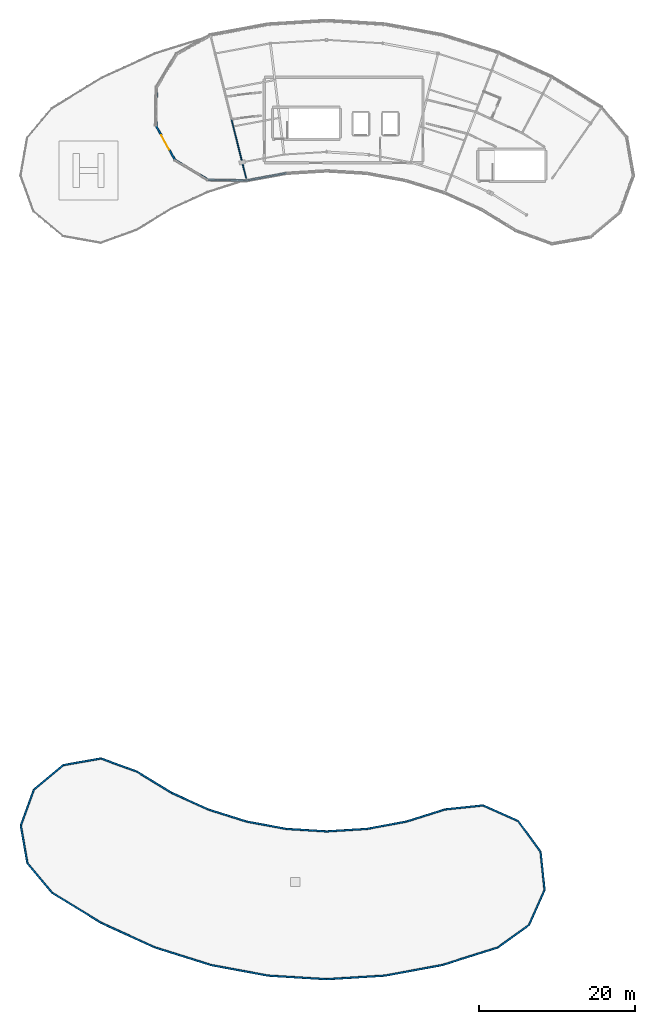
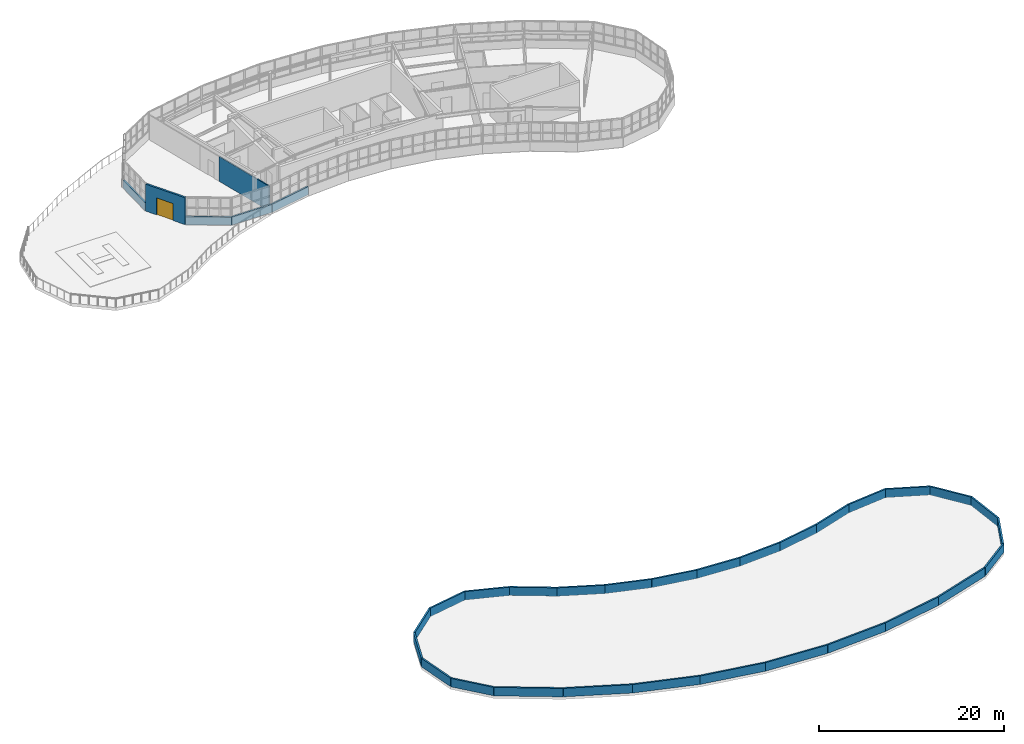
# One storey, part 23 of 26: 34 walls, 1 door, 1 opening.
"""IFC4 building model written with IfcOpenShell, lengths in metres."""

from ifc_helpers import new_model, si_unit, direction, frame, frame_2d, origin, place, context, subcontext, project, spatial, rectangle, extrude, material, layer, layer_set, type_object, element, fill, save


model = new_model("IFC4")

# Units and contexts
model_context = context("Model", 3, precision=1e-05, world=origin(), true_north=direction((0.0, 1.0)))
body_context = subcontext(model_context, "Body", "Model", "MODEL_VIEW")
ifc_project = project(units=[si_unit("LENGTHUNIT", "METRE"), si_unit("AREAUNIT", "SQUARE_METRE"), si_unit("VOLUMEUNIT", "CUBIC_METRE"), si_unit("PLANEANGLEUNIT", "RADIAN"), si_unit("MASSUNIT", "GRAM", prefix="KILO")], contexts=[model_context])

# Site, building, storey
site_placement = place(None, origin())
site = spatial("IfcSite", under=ifc_project, at=site_placement, CompositionType="ELEMENT")
building_placement = place(site_placement, origin())
building = spatial("IfcBuilding", under=site, at=building_placement, Name="Tarnwether General Hospital", CompositionType="ELEMENT")
storey_placement = place(building_placement, frame((0.0, 0.0, 30.0)))
storey = spatial("IfcBuildingStorey", under=building, at=storey_placement, Name="L07", CompositionType="ELEMENT", Elevation=30.0)

# Wall
ifc_material_1 = material(Name="Streamlined white enamelled aluminium", Category="aluminium")
ifc_layer_1 = layer(ifc_material_1, 0.219970703125)
ifc_layer_set_1 = layer_set([ifc_layer_1], Name="Streamlined white enamelled aluminium")
wall_type_1 = type_object("IfcWallType", Name="WL-EX220", PredefinedType="STANDARD", material=ifc_layer_set_1)
wall_1_placement = place(storey_placement, frame((70.10498046875, 111.133056640625, 0.0), z_axis=(0.0, 0.0, 1.0), x_axis=(0.017492040538, 0.999847002555, 0.0)))
element("IfcWall", 1, at=wall_1_placement, inside=storey, type_object=wall_type_1, Name="Ward NW Streamlined White Spandrel EW-L07-0130", PredefinedType="STANDARD", context=body_context, shape_type="SweptSolid", body=[
    extrude(rectangle(XDim=4.96875, YDim=0.219970703125, at=frame_2d((2.484375, 0.0))), origin(), (0.0, 0.0, 1.0), 1.050048828125),
])

# Wall, opening, door
wall_2_placement = place(storey_placement, frame((72.513916015625, 106.787109375, 0.0), z_axis=(0.0, 0.0, 1.0), x_axis=(-0.48480002004, 0.874625028552, 0.0)))
wall_2 = element("IfcWall", 2, at=wall_2_placement, inside=storey, type_object=wall_type_1, Name="Ward NW Terrace Access Wall EW-L07-0131", PredefinedType="STANDARD", context=body_context, shape_type="SweptSolid", body=[
    extrude(rectangle(XDim=4.968994140625, YDim=0.219970703125, at=frame_2d((2.484375, 0.0))), origin(), (0.0, 0.0, 1.0), 3.570068359375),
])
opening_placement = place(wall_2_placement, frame((1.5, 0.0, 0.0)))
opening = element("IfcOpeningElement", 3, at=opening_placement, cuts=wall_2, Name="Opening ED-09", PredefinedType="OPENING", context=body_context, shape_type="SweptSolid", body=[
    extrude(rectangle(XDim=2.10009765625, YDim=2.25, at=frame_2d((1.050048828125, 1.125))), frame((0.0, 0.1201171875, 0.0), z_axis=(0.0, -1.0, 0.0), x_axis=(1.0, 0.0, 0.0)), (0.0, 0.0, 1.0), 0.239990234375),
])
ifc_material_2 = material(Name="Anodised aluminium", Category="aluminium")
door_type = type_object("IfcDoorType", Name="DR-HP01", OperationType="NOTDEFINED", PredefinedType="DOOR", material=ifc_material_2)
door_placement = place(opening_placement, origin())
door = element("IfcDoor", 4, at=door_placement, inside=storey, type_object=door_type, Name="Rooftop Helipad Trauma Access Door ED-L07-0001", OperationType="DOUBLE_DOOR_SINGLE_SWING", OverallHeight=2.25, OverallWidth=2.10009765625, PredefinedType="DOOR", context=body_context, shape_type="SweptSolid", body=[
    extrude(rectangle(XDim=2.10009765625, YDim=2.25, at=frame_2d((1.050048828125, 1.125))), frame((0.0, 0.02490234375, 0.0), z_axis=(0.0, -1.0, 0.0), x_axis=(1.0, 0.0, 0.0)), (0.0, 0.0, 1.0), 0.050048828125),
])
fill(opening, door)

# Walls
wall_3_placement = place(storey_placement, frame((76.77392578125, 104.22705078125, 0.0), z_axis=(0.0, 0.0, 1.0), x_axis=(-0.857132968342, 0.51509520924, 0.0)))
element("IfcWall", 5, at=wall_3_placement, inside=storey, type_object=wall_type_1, Name="Ward NW Streamlined White Spandrel EW-L07-0132", PredefinedType="STANDARD", context=body_context, shape_type="SweptSolid", body=[
    extrude(rectangle(XDim=4.969970703125, YDim=0.219970703125, at=frame_2d((2.48486328125, 0.0))), origin(), (0.0, 0.0, 1.0), 1.050048828125),
])
wall_4_placement = place(storey_placement, frame((81.742919921875, 104.14111328125, 0.0), z_axis=(0.0, 0.0, 1.0), x_axis=(-0.999850479392, 0.017292161782, 0.0)))
element("IfcWall", 6, at=wall_4_placement, inside=storey, type_object=wall_type_1, Name="Ward NW Streamlined White Spandrel EW-L07-0133", PredefinedType="STANDARD", context=body_context, shape_type="SweptSolid", body=[
    extrude(rectangle(XDim=4.9697265625, YDim=0.219970703125, at=frame_2d((2.48486328125, 0.0))), origin(), (0.0, 0.0, 1.0), 1.050048828125),
])
wall_5_placement = place(storey_placement, frame((86.8330078125, 105.083984375, 0.0), z_axis=(0.0, 0.0, 1.0), x_axis=(-0.98327293422, -0.182138235501, 0.0)))
element("IfcWall", 7, at=wall_5_placement, inside=storey, type_object=wall_type_1, Name="Ward NW Streamlined White Spandrel EW-L07-0134", PredefinedType="STANDARD", context=body_context, shape_type="SweptSolid", body=[
    extrude(rectangle(XDim=5.1767578125, YDim=0.219970703125, at=frame_2d((2.58837890625, 0.0))), origin(), (0.0, 0.0, 1.0), 1.050048828125),
])
ifc_material_3 = material(Name="Precast concrete 40 MPa", Category="concrete")
ifc_layer_2 = layer(ifc_material_3, 0.199951171875)
ifc_layer_set_2 = layer_set([ifc_layer_2], Name="Precast concrete 40 MPa")
wall_type_2 = type_object("IfcWallType", Name="WL-PR200", PredefinedType="PARAPET", material=ifc_layer_set_2)
wall_6_placement = place(storey_placement, frame((56.73388671875, 12.616943359375, 0.330078125), z_axis=(0.0, 0.0, 1.0), x_axis=(-0.642798043125, 0.766035688303, 0.0)))
element("IfcWall", 8, at=wall_6_placement, inside=storey, type_object=wall_type_2, Name="Flat Roof Parapet EW-L07-0381", PredefinedType="PARAPET", context=body_context, shape_type="SweptSolid", body=[
    extrude(rectangle(XDim=4.927001953125, YDim=0.199951171875, at=frame_2d((2.46337890625, 0.0))), origin(), (0.0, 0.0, 1.0), 1.119873046875),
])
wall_7_placement = place(storey_placement, frame((53.56689453125, 16.39111328125, 0.330078125), z_axis=(0.0, 0.0, 1.0), x_axis=(-0.173493479801, 0.984835017892, 0.0)))
element("IfcWall", 9, at=wall_7_placement, inside=storey, type_object=wall_type_2, Name="Flat Roof Parapet EW-L07-0382", PredefinedType="PARAPET", context=body_context, shape_type="SweptSolid", body=[
    extrude(rectangle(XDim=4.915283203125, YDim=0.199951171875, at=frame_2d((2.45751953125, 0.0))), origin(), (0.0, 0.0, 1.0), 1.119873046875),
])
wall_8_placement = place(storey_placement, frame((52.714111328125, 21.23193359375, 0.330078125), z_axis=(0.0, 0.0, 1.0), x_axis=(0.341962389419, 0.939713639479, 0.0)))
element("IfcWall", 10, at=wall_8_placement, inside=storey, type_object=wall_type_2, Name="Flat Roof Parapet EW-L07-0383", PredefinedType="PARAPET", context=body_context, shape_type="SweptSolid", body=[
    extrude(rectangle(XDim=4.91552734375, YDim=0.199951171875, at=frame_2d((2.457763671875, 0.0))), origin(), (0.0, 0.0, 1.0), 1.119873046875),
])
wall_9_placement = place(storey_placement, frame((54.39501953125, 25.85107421875, 0.330078125), z_axis=(0.0, 0.0, 1.0), x_axis=(0.766047177348, 0.642784351145, 0.0)))
element("IfcWall", 11, at=wall_9_placement, inside=storey, type_object=wall_type_2, Name="Flat Roof Parapet EW-L07-0384", PredefinedType="PARAPET", context=body_context, shape_type="SweptSolid", body=[
    extrude(rectangle(XDim=4.916015625, YDim=0.199951171875, at=frame_2d((2.4580078125, 0.0))), origin(), (0.0, 0.0, 1.0), 1.119873046875),
])
wall_10_placement = place(storey_placement, frame((58.160888671875, 29.010986328125, 0.330078125), z_axis=(0.0, 0.0, 1.0), x_axis=(0.984794056527, 0.173725836388, 0.0)))
element("IfcWall", 12, at=wall_10_placement, inside=storey, type_object=wall_type_2, Name="Flat Roof Parapet EW-L07-0385", PredefinedType="PARAPET", context=body_context, shape_type="SweptSolid", body=[
    extrude(rectangle(XDim=4.915771484375, YDim=0.199951171875, at=frame_2d((2.4580078125, 0.0))), origin(), (0.0, 0.0, 1.0), 1.119873046875),
])
wall_11_placement = place(storey_placement, frame((63.001953125, 29.864990234375, 0.330078125), z_axis=(0.0, 0.0, 1.0), x_axis=(0.939605389057, -0.342259715502, 0.0)))
element("IfcWall", 13, at=wall_11_placement, inside=storey, type_object=wall_type_2, Name="Flat Roof Parapet EW-L07-0386", PredefinedType="PARAPET", context=body_context, shape_type="SweptSolid", body=[
    extrude(rectangle(XDim=4.931884765625, YDim=0.199951171875, at=frame_2d((2.4658203125, 0.0))), origin(), (0.0, 0.0, 1.0), 1.119873046875),
])
wall_12_placement = place(storey_placement, frame((67.635986328125, 28.177001953125, 0.330078125), z_axis=(0.0, 0.0, 1.0), x_axis=(0.852728896112, -0.522353740041, 0.0)))
element("IfcWall", 14, at=wall_12_placement, inside=storey, type_object=wall_type_2, Name="Flat Roof Parapet EW-L07-0387", PredefinedType="PARAPET", context=body_context, shape_type="SweptSolid", body=[
    extrude(rectangle(XDim=5.1669921875, YDim=0.199951171875, at=frame_2d((2.58349609375, 0.0))), origin(), (0.0, 0.0, 1.0), 1.119873046875),
])
wall_13_placement = place(storey_placement, frame((72.052978515625, 25.471923828125, 0.330078125), z_axis=(0.0, 0.0, 1.0), x_axis=(0.909955822384, -0.414705198074, 0.0)))
element("IfcWall", 15, at=wall_13_placement, inside=storey, type_object=wall_type_2, Name="Flat Roof Parapet EW-L07-0388", PredefinedType="PARAPET", context=body_context, shape_type="SweptSolid", body=[
    extrude(rectangle(XDim=5.177001953125, YDim=0.199951171875, at=frame_2d((2.58837890625, 0.0))), origin(), (0.0, 0.0, 1.0), 1.119873046875),
])
wall_14_placement = place(storey_placement, frame((76.77490234375, 23.321044921875, 0.330078125), z_axis=(0.0, 0.0, 1.0), x_axis=(0.953706582316, -0.300738681994, 0.0)))
element("IfcWall", 16, at=wall_14_placement, inside=storey, type_object=wall_type_2, Name="Flat Roof Parapet EW-L07-0389", PredefinedType="PARAPET", context=body_context, shape_type="SweptSolid", body=[
    extrude(rectangle(XDim=5.177734375, YDim=0.199951171875, at=frame_2d((2.5888671875, 0.0))), origin(), (0.0, 0.0, 1.0), 1.119873046875),
])
wall_15_placement = place(storey_placement, frame((81.72509765625, 21.760986328125, 0.330078125), z_axis=(0.0, 0.0, 1.0), x_axis=(0.983271369555, -0.182146682138, 0.0)))
element("IfcWall", 17, at=wall_15_placement, inside=storey, type_object=wall_type_2, Name="Flat Roof Parapet EW-L07-0390", PredefinedType="PARAPET", context=body_context, shape_type="SweptSolid", body=[
    extrude(rectangle(XDim=5.176513671875, YDim=0.199951171875, at=frame_2d((2.58837890625, 0.0))), origin(), (0.0, 0.0, 1.0), 1.119873046875),
])
for number, where, z_axis, x_axis, name in (
    (18, (86.826904296875, 20.81591796875, 0.330078125), (0.0, 0.0, 1.0), (0.998136079034, -0.061027598104, 0.0), "Flat Roof Parapet EW-L07-0391"),
    (19, (92.006103515625, 20.5, 0.330078125), (0.0, 0.0, 1.0), (0.998136079034, 0.061027598104, 0.0), "Flat Roof Parapet EW-L07-0392"),
):
    element("IfcWall", number, at=place(storey_placement, frame(where, z_axis=z_axis, x_axis=x_axis)), inside=storey, type_object=wall_type_2, Name=name, PredefinedType="PARAPET", context=body_context, shape_type="SweptSolid", body=[
        extrude(rectangle(XDim=5.1767578125, YDim=0.199951171875, at=frame_2d((2.58837890625, 0.0))), origin(), (0.0, 0.0, 1.0), 1.119873046875),
    ])
wall_16_placement = place(storey_placement, frame((97.18505859375, 20.818115234375, 0.330078125), z_axis=(0.0, 0.0, 1.0), x_axis=(0.983271369555, 0.182146682138, 0.0)))
element("IfcWall", 20, at=wall_16_placement, inside=storey, type_object=wall_type_2, Name="Flat Roof Parapet EW-L07-0393", PredefinedType="PARAPET", context=body_context, shape_type="SweptSolid", body=[
    extrude(rectangle(XDim=5.176513671875, YDim=0.199951171875, at=frame_2d((2.58837890625, 0.0))), origin(), (0.0, 0.0, 1.0), 1.119873046875),
])
wall_17_placement = place(storey_placement, frame((102.287109375, 21.763916015625, 0.330078125), z_axis=(0.0, 0.0, 1.0), x_axis=(0.953693994873, 0.30077859655, 0.0)))
element("IfcWall", 21, at=wall_17_placement, inside=storey, type_object=wall_type_2, Name="Flat Roof Parapet EW-L07-0394", PredefinedType="PARAPET", context=body_context, shape_type="SweptSolid", body=[
    extrude(rectangle(XDim=5.167236328125, YDim=0.199951171875, at=frame_2d((2.58349609375, 0.0))), origin(), (0.0, 0.0, 1.0), 1.119873046875),
])
wall_18_placement = place(storey_placement, frame((107.215087890625, 23.318115234375, 0.330078125), z_axis=(0.0, 0.0, 1.0), x_axis=(0.994517107592, 0.104574005889, 0.0)))
element("IfcWall", 22, at=wall_18_placement, inside=storey, type_object=wall_type_2, Name="Flat Roof Parapet EW-L07-0395", PredefinedType="PARAPET", context=body_context, shape_type="SweptSolid", body=[
    extrude(rectangle(XDim=4.93310546875, YDim=0.199951171875, at=frame_2d((2.466552734375, 0.0))), origin(), (0.0, 0.0, 1.0), 1.119873046875),
])
wall_19_placement = place(storey_placement, frame((112.12109375, 23.833984375, 0.330078125), z_axis=(0.0, 0.0, 1.0), x_axis=(0.913508210431, -0.406820291375, 0.0)))
element("IfcWall", 23, at=wall_19_placement, inside=storey, type_object=wall_type_2, Name="Flat Roof Parapet EW-L07-0396", PredefinedType="PARAPET", context=body_context, shape_type="SweptSolid", body=[
    extrude(rectangle(XDim=4.916259765625, YDim=0.199951171875, at=frame_2d((2.4580078125, 0.0))), origin(), (0.0, 0.0, 1.0), 1.119873046875),
])
wall_20_placement = place(storey_placement, frame((116.612060546875, 21.833984375, 0.330078125), z_axis=(0.0, 0.0, 1.0), x_axis=(0.587707954168, -0.809073149108, 0.0)))
element("IfcWall", 24, at=wall_20_placement, inside=storey, type_object=wall_type_2, Name="Flat Roof Parapet EW-L07-0397", PredefinedType="PARAPET", context=body_context, shape_type="SweptSolid", body=[
    extrude(rectangle(XDim=4.91552734375, YDim=0.199951171875, at=frame_2d((2.457763671875, 0.0))), origin(), (0.0, 0.0, 1.0), 1.119873046875),
])
for number, where, z_axis, x_axis, name in (
    (25, (119.5009765625, 17.85693359375, 0.330078125), (0.0, 0.0, 1.0), (0.104542594906, -0.994520409972, 0.0), "Flat Roof Parapet EW-L07-0398"),
    (26, (120.014892578125, 12.968017578125, 0.330078125), (0.0, 0.0, 1.0), (-0.406613051475, -0.913600474152, 0.0), "Flat Roof Parapet EW-L07-0399"),
):
    element("IfcWall", number, at=place(storey_placement, frame(where, z_axis=z_axis, x_axis=x_axis)), inside=storey, type_object=wall_type_2, Name=name, PredefinedType="PARAPET", context=body_context, shape_type="SweptSolid", body=[
        extrude(rectangle(XDim=4.915771484375, YDim=0.199951171875, at=frame_2d((2.4580078125, 0.0))), origin(), (0.0, 0.0, 1.0), 1.119873046875),
    ])
wall_21_placement = place(storey_placement, frame((118.01611328125, 8.47705078125, 0.330078125), z_axis=(0.0, 0.0, 1.0), x_axis=(-0.809091576993, -0.587682584428, 0.0)))
element("IfcWall", 27, at=wall_21_placement, inside=storey, type_object=wall_type_2, Name="Flat Roof Parapet EW-L07-0400", PredefinedType="PARAPET", context=body_context, shape_type="SweptSolid", body=[
    extrude(rectangle(XDim=4.927734375, YDim=0.199951171875, at=frame_2d((2.4638671875, 0.0))), origin(), (0.0, 0.0, 1.0), 1.119873046875),
])
wall_22_placement = place(storey_placement, frame((114.029052734375, 5.5810546875, 0.330078125), z_axis=(0.0, 0.0, 1.0), x_axis=(-0.953739516531, -0.300634220618, 0.0)))
element("IfcWall", 28, at=wall_22_placement, inside=storey, type_object=wall_type_2, Name="Flat Roof Parapet EW-L07-0401", PredefinedType="PARAPET", context=body_context, shape_type="SweptSolid", body=[
    extrude(rectangle(XDim=7.498046875, YDim=0.199951171875, at=frame_2d((3.7490234375, 0.0))), origin(), (0.0, 0.0, 1.0), 1.119873046875),
])
wall_23_placement = place(storey_placement, frame((106.8779296875, 3.326904296875, 0.330078125), z_axis=(0.0, 0.0, 1.0), x_axis=(-0.983241229315, -0.182309311269, 0.0)))
element("IfcWall", 29, at=wall_23_placement, inside=storey, type_object=wall_type_2, Name="Flat Roof Parapet EW-L07-0402", PredefinedType="PARAPET", context=body_context, shape_type="SweptSolid", body=[
    extrude(rectangle(XDim=7.508544921875, YDim=0.199951171875, at=frame_2d((3.75439453125, 0.0))), origin(), (0.0, 0.0, 1.0), 1.119873046875),
])
for number, where, z_axis, x_axis, name in (
    (30, (99.4951171875, 1.9580078125, 0.330078125), (0.0, 0.0, 1.0), (-0.998138149887, -0.060993718866, 0.0), "Flat Roof Parapet EW-L07-0403"),
    (31, (92.0, 1.5, 0.330078125), (0.0, 0.0, 1.0), (-0.998138149887, 0.060993718866, 0.0), "Flat Roof Parapet EW-L07-0404"),
):
    element("IfcWall", number, at=place(storey_placement, frame(where, z_axis=z_axis, x_axis=x_axis)), inside=storey, type_object=wall_type_2, Name=name, PredefinedType="PARAPET", context=body_context, shape_type="SweptSolid", body=[
        extrude(rectangle(XDim=7.509033203125, YDim=0.199951171875, at=frame_2d((3.75439453125, 0.0))), origin(), (0.0, 0.0, 1.0), 1.119873046875),
    ])
wall_24_placement = place(storey_placement, frame((84.5048828125, 1.9580078125, 0.330078125), z_axis=(0.0, 0.0, 1.0), x_axis=(-0.983241229315, 0.182309311269, 0.0)))
element("IfcWall", 32, at=wall_24_placement, inside=storey, type_object=wall_type_2, Name="Flat Roof Parapet EW-L07-0405", PredefinedType="PARAPET", context=body_context, shape_type="SweptSolid", body=[
    extrude(rectangle(XDim=7.508544921875, YDim=0.199951171875, at=frame_2d((3.75439453125, 0.0))), origin(), (0.0, 0.0, 1.0), 1.119873046875),
])
for number, where, z_axis, x_axis, name in (
    (33, (77.1220703125, 3.326904296875, 0.330078125), (0.0, 0.0, 1.0), (-0.95371083423, 0.300725197934, 0.0), "Flat Roof Parapet EW-L07-0406"),
    (34, (69.9609375, 5.5849609375, 0.330078125), (0.0, 0.0, 1.0), (-0.910008703844, 0.41458914473, 0.0), "Flat Roof Parapet EW-L07-0407"),
):
    element("IfcWall", number, at=place(storey_placement, frame(where, z_axis=z_axis, x_axis=x_axis)), inside=storey, type_object=wall_type_2, Name=name, PredefinedType="PARAPET", context=body_context, shape_type="SweptSolid", body=[
        extrude(rectangle(XDim=7.5087890625, YDim=0.199951171875, at=frame_2d((3.75439453125, 0.0))), origin(), (0.0, 0.0, 1.0), 1.119873046875),
    ])
wall_25_placement = place(storey_placement, frame((63.1279296875, 8.697998046875, 0.330078125), z_axis=(0.0, 0.0, 1.0), x_axis=(-0.852600316655, 0.522563584687, 0.0)))
element("IfcWall", 35, at=wall_25_placement, inside=storey, type_object=wall_type_2, Name="Flat Roof Parapet EW-L07-0408", PredefinedType="PARAPET", context=body_context, shape_type="SweptSolid", body=[
    extrude(rectangle(XDim=7.49951171875, YDim=0.199951171875, at=frame_2d((3.749755859375, 0.0))), origin(), (0.0, 0.0, 1.0), 1.119873046875),
])
ifc_material_4 = material(Name="Gypsum plasterboard")
ifc_layer_3 = layer(ifc_material_4, 0.139892578125)
ifc_layer_set_3 = layer_set([ifc_layer_3], Name="Gypsum plasterboard")
wall_type_3 = type_object("IfcWallType", Name="WL-PT140", PredefinedType="PARTITIONING", material=ifc_layer_set_3)
wall_26_placement = place(storey_placement, frame((81.675048828125, 104.412109375, 0.0), z_axis=(0.0, 0.0, 1.0), x_axis=(-0.241947927131, 0.970289235515, 0.0)))
element("IfcWall", 36, at=wall_26_placement, inside=storey, type_object=wall_type_3, Name="Interior Partition PT-L07-0529", PredefinedType="PARTITIONING", context=body_context, shape_type="SweptSolid", body=[
    extrude(rectangle(XDim=7.8203125, YDim=0.139892578125, at=frame_2d((3.91015625, 0.0))), origin(), (0.0, 0.0, 1.0), 3.278076171875),
])

save(model, "model.ifc")
